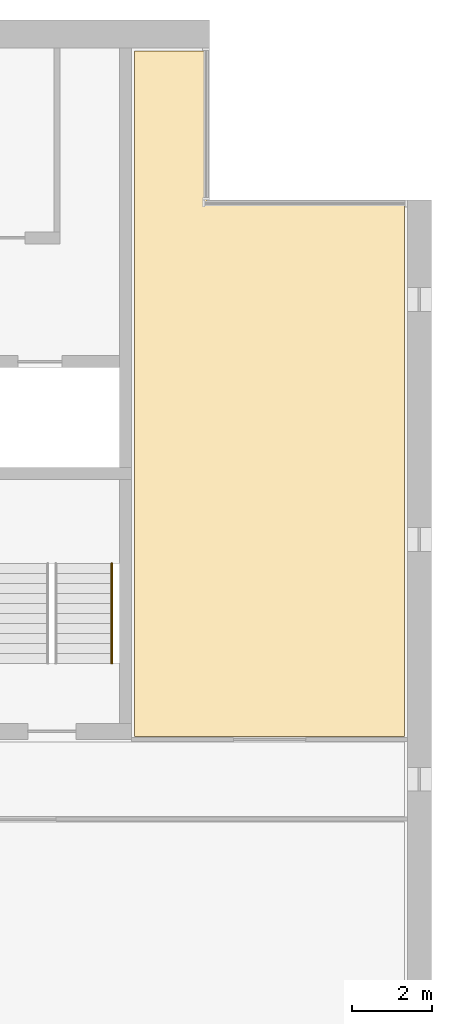
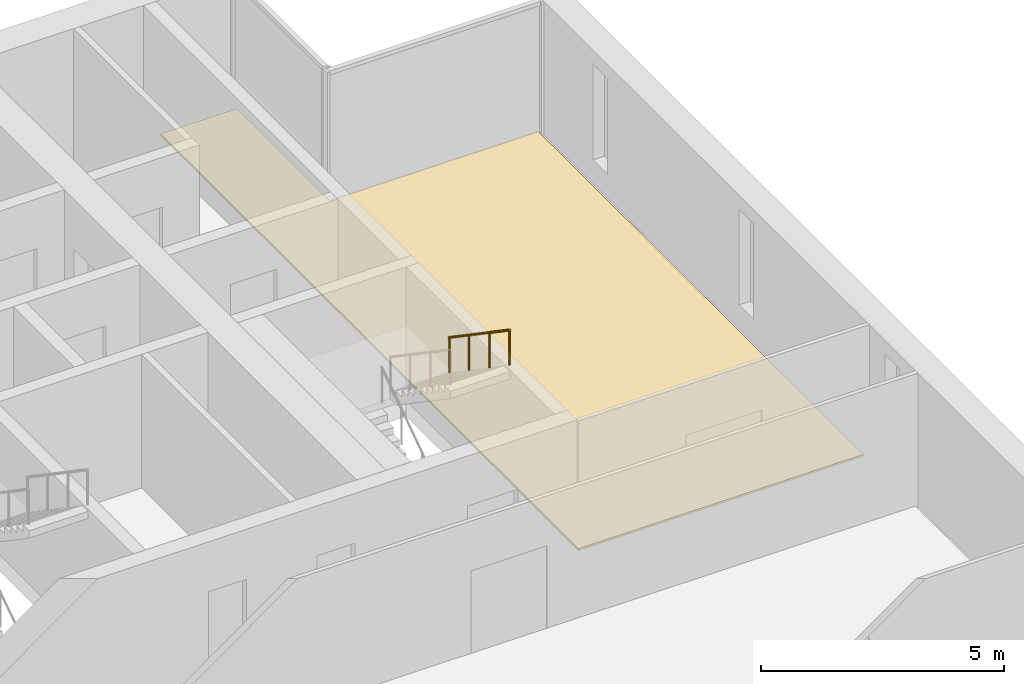
# One storey, part 17 of 17: 1 covering, 1 railing, 1 element without a shape of its own.
"""IFC4 building model written with IfcOpenShell, lengths in metres."""

from ifc_helpers import new_model, si_unit, direction, frame, origin, origin_2d, place, context, subcontext, project, spatial, polyline, circle, outline, extrude, material, layer, layer_set, type_object, element, aggregate, save


model = new_model("IFC4")

# Units and contexts
model_context = context("Model", 3, precision=1e-05, world=origin(), true_north=direction((0.0, 1.0)))
body_context = subcontext(model_context, "Body", "Model", "MODEL_VIEW")
ifc_project = project(units=[si_unit("LENGTHUNIT", "METRE"), si_unit("AREAUNIT", "SQUARE_METRE"), si_unit("VOLUMEUNIT", "CUBIC_METRE"), si_unit("PLANEANGLEUNIT", "RADIAN"), si_unit("MASSUNIT", "GRAM", prefix="KILO")], contexts=[model_context])

# Site, building, storey
site_placement = place(None, origin())
site = spatial("IfcSite", under=ifc_project, at=site_placement, CompositionType="ELEMENT")
building_placement = place(site_placement, origin())
building = spatial("IfcBuilding", under=site, at=building_placement, Name="Calvaro Tower", CompositionType="ELEMENT")
storey_placement = place(building_placement, frame((0.0, 0.0, 215.5)))
storey = spatial("IfcBuildingStorey", under=building, at=storey_placement, Name="L54", CompositionType="ELEMENT", Elevation=215.5)

# Covering
ifc_material_1 = material(Name="Cement screed with carpet tile finish")
ifc_layer = layer(ifc_material_1, 0.050048828125)
ifc_layer_set = layer_set([ifc_layer], Name="Cement screed with carpet tile finish")
covering_type = type_object("IfcCoveringType", Name="Floor finish 50", PredefinedType="FLOORING", material=ifc_layer_set)
covering_placement = place(storey_placement, origin())
element("IfcCovering", 1, at=covering_placement, inside=storey, type_object=covering_type, Name="Floor finish 31.17", PredefinedType="FLOORING", context=body_context, shape_type="SweptSolid", body=[
    extrude(outline(polyline([(71.330078125, 28.070068359375), (64.570068359375, 28.070068359375), (64.570068359375, 45.22998046875), (66.3798828125, 45.22998046875), (66.3798828125, 41.429931640625), (71.330078125, 41.429931640625), (71.330078125, 28.070068359375)])), origin(), (0.0, 0.0, 1.0), 0.050048828125),
])

# Stair, railing
ifc_material_2 = material(Name="Concrete C40/50", Category="concrete")
stair_type = type_object("IfcStairType", Name="Exit stair 1400 2 flights", PredefinedType="HALF_TURN_STAIR", material=ifc_material_2)
stair_placement = place(storey_placement, origin())
stair = element("IfcStair", 2, at=stair_placement, inside=storey, type_object=stair_type, Name="Exit stair S5", PredefinedType="HALF_TURN_STAIR")
ifc_material_3 = material(Name="Stainless steel", Category="steel")
railing_type = type_object("IfcRailingType", Name="Stair handrail", PredefinedType="HANDRAIL", material=ifc_material_3)
railing_placement = place(storey_placement, frame((64.0, 32.39990234375, 2.04541015625)))
railing = element("IfcRailing", 3, at=railing_placement, type_object=railing_type, Name="Exit stair 5 handrail", PredefinedType="HANDRAIL", context=body_context, shape_type="SweptSolid", body=[
    extrude(circle(Radius=0.02392578125, at=origin_2d()), frame((0.0, 0.0, 0.8759765625), z_axis=(0.0, -0.826220514629, 0.563346839174), x_axis=(1.0, 0.0, 0.0)), (0.0, 0.0, 1.0), 3.02587890625),
    extrude(circle(Radius=0.02099609375, at=origin_2d()), frame((0.0, -0.017333984375, 0.01171875)), (0.0, 0.0, 1.0), 0.851806640625),
    extrude(circle(Radius=0.02099609375, at=origin_2d()), frame((0.0, -0.833251953125, 0.568115234375)), (0.0, 0.0, 1.0), 0.851806640625),
    extrude(circle(Radius=0.02099609375, at=origin_2d()), frame((0.0, -1.666748046875, 1.136474609375)), (0.0, 0.0, 1.0), 0.851806640625),
    extrude(circle(Radius=0.02099609375, at=origin_2d()), frame((0.0, -2.482666015625, 1.69287109375)), (0.0, 0.0, 1.0), 0.851806640625),
])
aggregate(stair, [railing])

save(model, "model.ifc")
